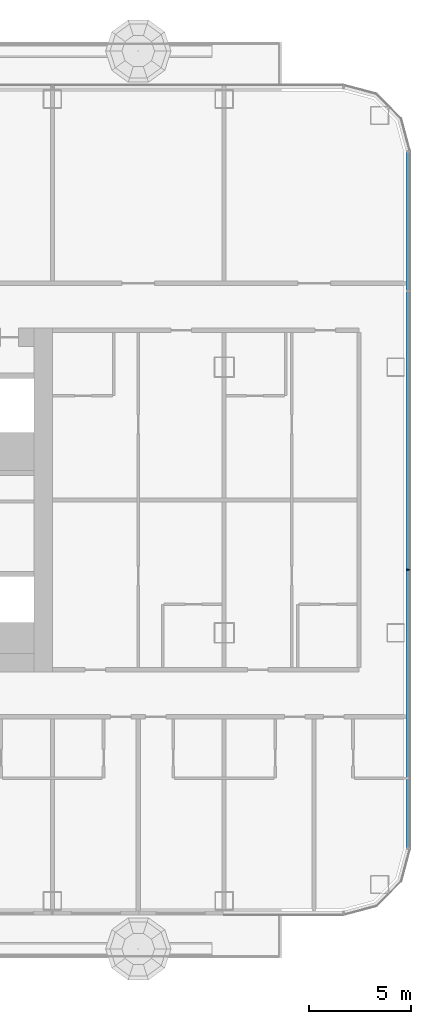
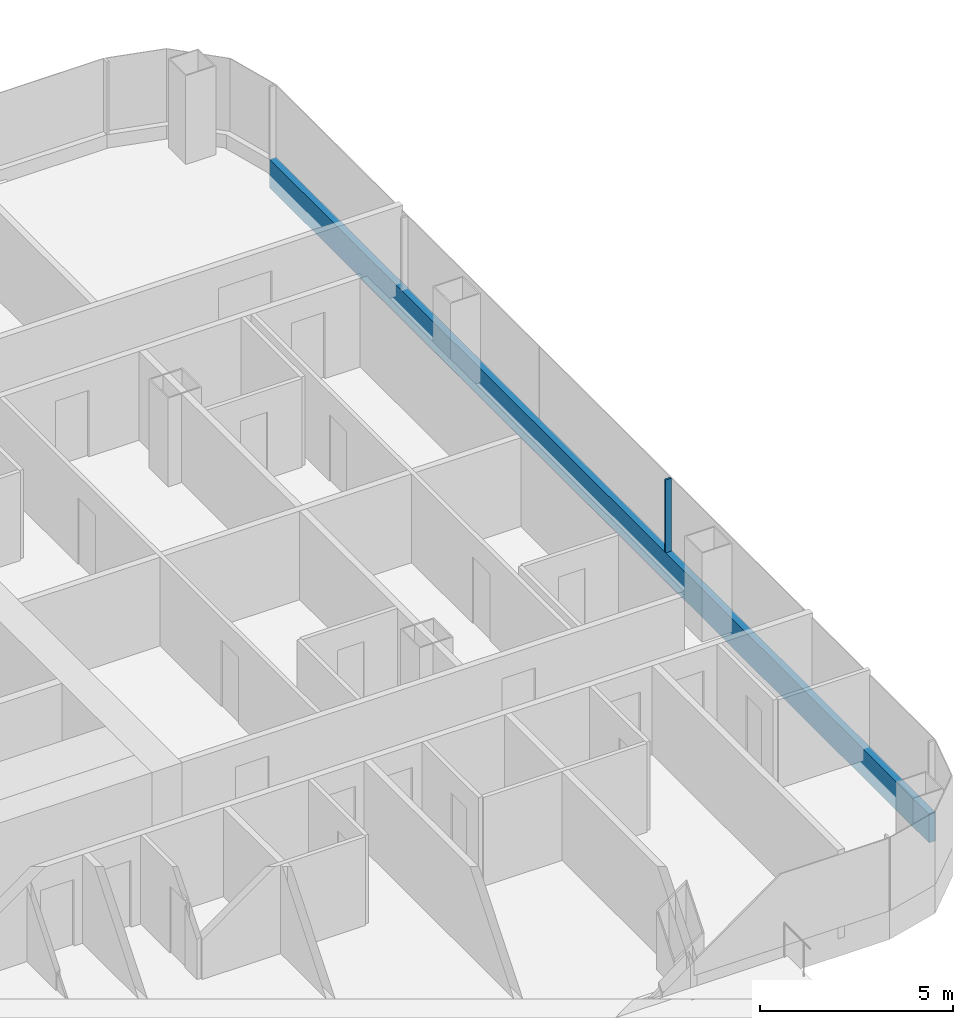
# One storey, part 8 of 37: 2 members, 1 element without a shape of its own.
"""IFC4 building model written with IfcOpenShell, lengths in metres."""

from ifc_helpers import new_model, si_unit, direction, frame, origin, origin_2d, place, context, subcontext, project, spatial, rectangle, extrude, material, layer, layer_set, material_profile, profile_set, type_object, element, aggregate, save


model = new_model("IFC4")

# Units and contexts
model_context = context("Model", 3, precision=1e-05, world=origin(), true_north=direction((0.0, 1.0)))
body_context = subcontext(model_context, "Body", "Model", "MODEL_VIEW")
ifc_project = project(units=[si_unit("LENGTHUNIT", "METRE"), si_unit("AREAUNIT", "SQUARE_METRE"), si_unit("VOLUMEUNIT", "CUBIC_METRE"), si_unit("PLANEANGLEUNIT", "RADIAN"), si_unit("MASSUNIT", "GRAM", prefix="KILO")], contexts=[model_context])

# Site, building, storey
site_placement = place(None, origin())
site = spatial("IfcSite", under=ifc_project, at=site_placement, CompositionType="ELEMENT")
building_placement = place(site_placement, origin())
building = spatial("IfcBuilding", under=site, at=building_placement, Name="Hakoniwa Tower and Hamabe Station Hall", CompositionType="ELEMENT")
storey_placement = place(building_placement, frame((0.0, 0.0, 39.0)))
storey = spatial("IfcBuildingStorey", under=building, at=storey_placement, Name="L10", CompositionType="ELEMENT", Elevation=39.0)

# Curtain wall, members
ifc_material_1 = material(Name="Dark low-e laminated glass", Category="glass")
ifc_layer = layer(ifc_material_1, 0.199951171875)
ifc_layer_set = layer_set([ifc_layer], Name="CW-1 UNITISED GUEST")
curtain_wall_type = type_object("IfcCurtainWallType", Name="CW-1 UNITISED GUEST", PredefinedType="NOTDEFINED", material=ifc_layer_set)
curtain_wall_placement = place(storey_placement, origin())
curtain_wall = element("IfcCurtainWall", 1, at=curtain_wall_placement, inside=storey, type_object=curtain_wall_type, Name="CW-1 curtain wall", PredefinedType="NOTDEFINED")
ifc_material_2 = material(Name="Aluminium 6063-T5 black anodised", Category="aluminium")
ifc_material_profile_1 = material_profile(ifc_material_2, rectangle(XDim=0.199951171875, YDim=0.89990234375, at=origin_2d()), Name="CW SLAB-EDGE BAND 900X200")
ifc_profile_set_1 = profile_set([ifc_material_profile_1], Name="Aluminium 6063-T5 black anodised")
member_type_1 = type_object("IfcMemberType", Name="CW SLAB-EDGE BAND 900X200", PredefinedType="USERDEFINED", material=ifc_profile_set_1)
member_1_placement = place(storey_placement, frame((51.0, -17.03955078125, -0.10009765625), z_axis=(0.0, 1.0, 0.0), x_axis=(-1.0, 0.0, 0.0)))
member_1 = element("IfcMember", 2, at=member_1_placement, type_object=member_type_1, Name="CW-1 transom", ObjectType="TRANSOM", PredefinedType="USERDEFINED", context=body_context, shape_type="SweptSolid", body=[
    extrude(rectangle(XDim=0.199951171875, YDim=0.89990234375, at=origin_2d()), origin(), (0.0, 0.0, 1.0), 34.0791015625),
])
ifc_material_3 = material(Name="Aluminium 6063-T5 black anodised", Category="aluminium")
ifc_material_profile_2 = material_profile(ifc_material_3, rectangle(XDim=0.06005859375, YDim=0.179931640625, at=origin_2d()), Name="CW-1 MULLION 60X180")
ifc_profile_set_2 = profile_set([ifc_material_profile_2], Name="Aluminium 6063-T5 black anodised")
member_type_2 = type_object("IfcMemberType", Name="CW-1 MULLION 60X180", PredefinedType="MULLION", material=ifc_profile_set_2)
member_2_placement = place(storey_placement, frame((50.98193359375, -3.407958984375, 0.35009765625), z_axis=(0.0, 0.0, 1.0), x_axis=(0.0, 1.0, 0.0)))
member_2 = element("IfcMember", 3, at=member_2_placement, type_object=member_type_2, Name="CW-1 mullion", PredefinedType="MULLION", context=body_context, shape_type="SweptSolid", body=[
    extrude(rectangle(XDim=0.06005859375, YDim=0.179931640625, at=origin_2d()), origin(), (0.0, 0.0, 1.0), 2.2998046875),
])
aggregate(curtain_wall, [member_2, member_1])

save(model, "model.ifc")
